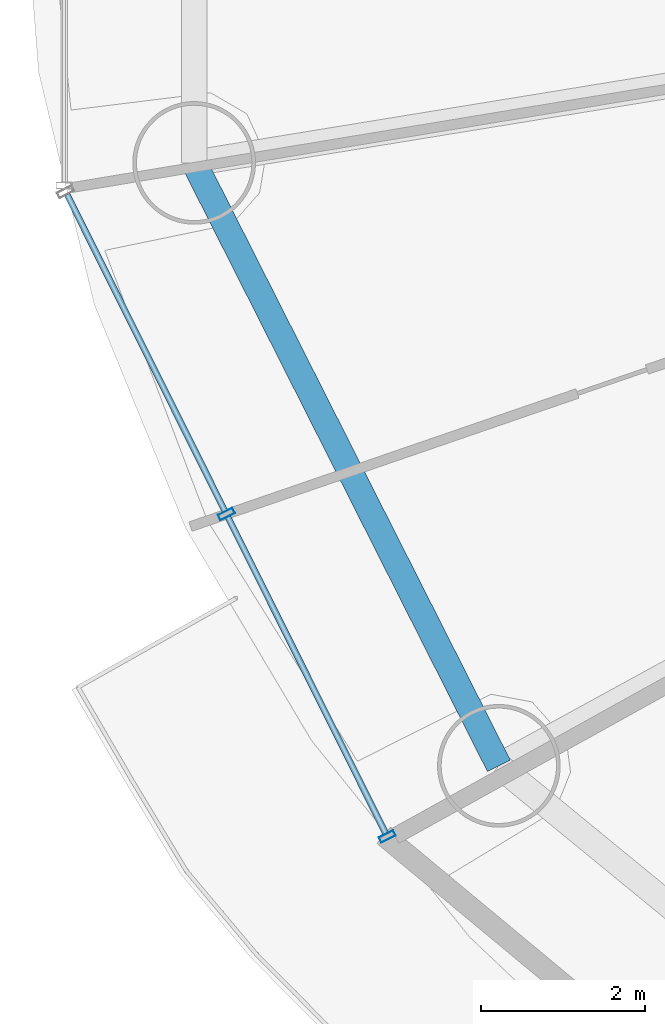
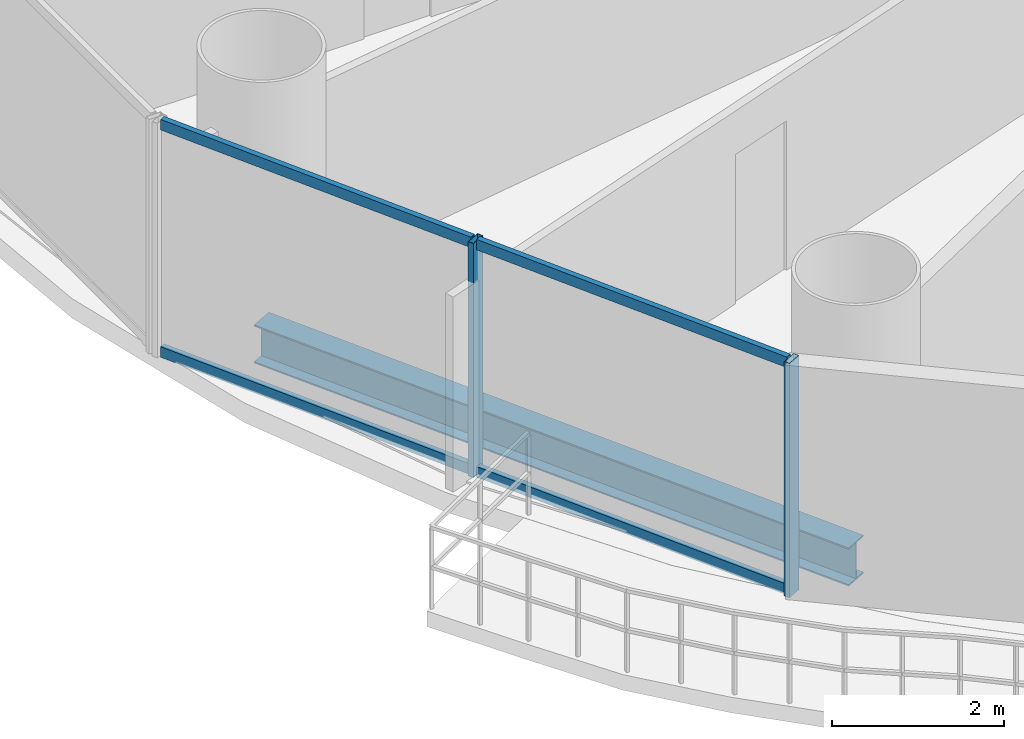
# One storey, part 2 of 28: 6 members, 1 beam, 1 element without a shape of its own.
"""IFC4 building model written with IfcOpenShell, lengths in metres."""

from ifc_helpers import new_model, si_unit, direction, frame, origin, origin_2d, place, context, subcontext, project, spatial, hollow_rectangle, i_section, extrude, source, transform, mapped, material, material_profile, profile_set, type_object, element, aggregate, save


model = new_model("IFC4")

# Units and contexts
model_context = context("Model", 3, precision=1e-05, world=origin(), true_north=direction((-0.2419218956, 0.970295726276)))
body_context = subcontext(model_context, "Body", "Model", "MODEL_VIEW")
ifc_project = project(units=[si_unit("LENGTHUNIT", "METRE"), si_unit("AREAUNIT", "SQUARE_METRE"), si_unit("VOLUMEUNIT", "CUBIC_METRE"), si_unit("PLANEANGLEUNIT", "RADIAN"), si_unit("MASSUNIT", "GRAM", prefix="KILO")], contexts=[model_context])

# Site, building, storey
site_placement = place(None, origin())
site = spatial("IfcSite", under=ifc_project, at=site_placement, CompositionType="ELEMENT")
building_placement = place(site_placement, origin())
building = spatial("IfcBuilding", under=site, at=building_placement, Name="Cobrevalo Terracotta Tower", CompositionType="ELEMENT")
storey_placement = place(building_placement, frame((0.0, 0.0, 101.39990234375)))
storey = spatial("IfcBuildingStorey", under=building, at=storey_placement, Name="L26", CompositionType="ELEMENT", Elevation=101.39990234375)

# Beam
ifc_material_1 = material(Name="Steel S355", Category="steel")
ifc_material_profile_1 = material_profile(ifc_material_1, i_section(OverallWidth=0.31201171875, OverallDepth=0.54296875, WebThickness=0.0126953125, FlangeThickness=0.020263671875, at=origin_2d()), Name="W 530x150")
ifc_profile_set_1 = profile_set([ifc_material_profile_1], Name="Steel S355")
beam_type = type_object("IfcBeamType", Name="Structural Spandrel W 530x150 (Steel S355)", PredefinedType="SPANDREL", material=ifc_profile_set_1)
beam_placement = place(storey_placement, frame((13.529296875, 22.810302734375, -0.54638671875), z_axis=(0.451051982172, -0.892497680321, 0.0), x_axis=(0.892497680321, 0.451051982172, 0.0)))
element("IfcBeam", 1, at=beam_placement, inside=storey, type_object=beam_type, Name="L26 perimeter ring spandrel 09", PredefinedType="SPANDREL", context=body_context, shape_type="SweptSolid", body=[
    extrude(i_section(OverallWidth=0.31201171875, OverallDepth=0.54296875, WebThickness=0.0126953125, FlangeThickness=0.020263671875, at=origin_2d()), origin(), (0.0, 0.0, 1.0), 8.259765625),
])

# Curtain wall, members
ifc_material_2 = material(Name="Anodized aluminium", Category="aluminium")
curtain_wall_type = type_object("IfcCurtainWallType", Name="Lower-tower unitised acoustic low-E curtain wall CW-U1", PredefinedType="NOTDEFINED", material=ifc_material_2)
curtain_wall_placement = place(storey_placement, origin())
curtain_wall = element("IfcCurtainWall", 2, at=curtain_wall_placement, inside=storey, type_object=curtain_wall_type, Name="L26 curtain wall CW-L26-S09", PredefinedType="NOTDEFINED")
ifc_material_profile_2 = material_profile(ifc_material_2, hollow_rectangle(XDim=0.074951171875, YDim=0.14990234375, WallThickness=0.00439453125, at=origin_2d()), Name="CWT 75x150")
ifc_profile_set_2 = profile_set([ifc_material_profile_2], Name="Anodized aluminium")
member_type_1 = type_object("IfcMemberType", Name="Tower unitised aluminium transom 75x150", PredefinedType="USERDEFINED", material=ifc_profile_set_2)
shared_shape_1 = source(origin(), body_context, "Body", "SweptSolid", [
    extrude(hollow_rectangle(XDim=0.074951171875, YDim=0.14990234375, WallThickness=0.00439453125, at=origin_2d()), origin(), (0.0, 0.0, 1.0), 4.324951171875),
])
member_1_placement = place(storey_placement, frame((11.976318359375, 22.4228515625, 0.050048828125), z_axis=(0.446219838389, -0.894923379864, 0.0), x_axis=(0.894923379864, 0.446219838389, 0.0)))
member_1 = element("IfcMember", 3, at=member_1_placement, type_object=member_type_1, Name="CW-L26-S09 transom B01-T1", ObjectType="TRANSOM", PredefinedType="USERDEFINED", context=body_context, shape_type="MappedRepresentation", body=[
    mapped(shared_shape_1, transform((0.0, 0.0, 0.0), scale=1.0)),
])
member_2_placement = place(storey_placement, frame((11.976318359375, 22.4228515625, 3.275146484375), z_axis=(0.446219838389, -0.894923379864, 0.0), x_axis=(0.894923379864, 0.446219838389, 0.0)))
member_2 = element("IfcMember", 4, at=member_2_placement, type_object=member_type_1, Name="CW-L26-S09 transom B01-T2", ObjectType="TRANSOM", PredefinedType="USERDEFINED", context=body_context, shape_type="MappedRepresentation", body=[
    mapped(shared_shape_1, transform((0.0, 0.0, 0.0), scale=1.0)),
])
member_3_placement = place(storey_placement, frame((13.942138671875, 18.480712890625, 0.050048828125), z_axis=(0.446219838389, -0.894923379864, 0.0), x_axis=(0.894923379864, 0.446219838389, 0.0)))
member_3 = element("IfcMember", 5, at=member_3_placement, type_object=member_type_1, Name="CW-L26-S09 transom B02-T1", ObjectType="TRANSOM", PredefinedType="USERDEFINED", context=body_context, shape_type="MappedRepresentation", body=[
    mapped(shared_shape_1, transform((0.0, 0.0, 0.0), scale=1.0)),
])
member_4_placement = place(storey_placement, frame((13.942138671875, 18.480712890625, 3.275146484375), z_axis=(0.446219838389, -0.894923379864, 0.0), x_axis=(0.894923379864, 0.446219838389, 0.0)))
member_4 = element("IfcMember", 6, at=member_4_placement, type_object=member_type_1, Name="CW-L26-S09 transom B02-T2", ObjectType="TRANSOM", PredefinedType="USERDEFINED", context=body_context, shape_type="MappedRepresentation", body=[
    mapped(shared_shape_1, transform((0.0, 0.0, 0.0), scale=1.0)),
])
ifc_material_profile_3 = material_profile(ifc_material_2, hollow_rectangle(XDim=0.074951171875, YDim=0.199951171875, WallThickness=0.0048828125, at=origin_2d()), Name="CWM 75x200")
ifc_profile_set_3 = profile_set([ifc_material_profile_3], Name="Anodized aluminium")
member_type_2 = type_object("IfcMemberType", Name="Lower/mid tower unitised mullion 75x200", PredefinedType="MULLION", material=ifc_profile_set_3)
shared_shape_2 = source(origin(), body_context, "Body", "SweptSolid", [
    extrude(hollow_rectangle(XDim=0.074951171875, YDim=0.199951171875, WallThickness=0.0048828125, at=origin_2d()), origin(), (0.0, 0.0, 1.0), 3.3251953125),
])
member_5_placement = place(storey_placement, frame((13.924072265625, 18.516357421875, 0.0), z_axis=(0.0, 0.0, 1.0), x_axis=(0.446260290227, -0.894903208937, 0.0)))
member_5 = element("IfcMember", 7, at=member_5_placement, type_object=member_type_2, Name="CW-L26-S09 vertical mullion 02", PredefinedType="MULLION", context=body_context, shape_type="MappedRepresentation", body=[
    mapped(shared_shape_2, transform((0.0, 0.0, 0.0), scale=1.0)),
])
member_6_placement = place(storey_placement, frame((15.889892578125, 14.574462890625, 0.0), z_axis=(0.0, 0.0, 1.0), x_axis=(0.446260290227, -0.894903208937, 0.0)))
member_6 = element("IfcMember", 8, at=member_6_placement, type_object=member_type_2, Name="CW-L26-S09 vertical mullion 03", PredefinedType="MULLION", context=body_context, shape_type="MappedRepresentation", body=[
    mapped(shared_shape_2, transform((0.0, 0.0, 0.0), scale=1.0)),
])
aggregate(curtain_wall, [member_5, member_6, member_1, member_2, member_3, member_4])

save(model, "model.ifc")
